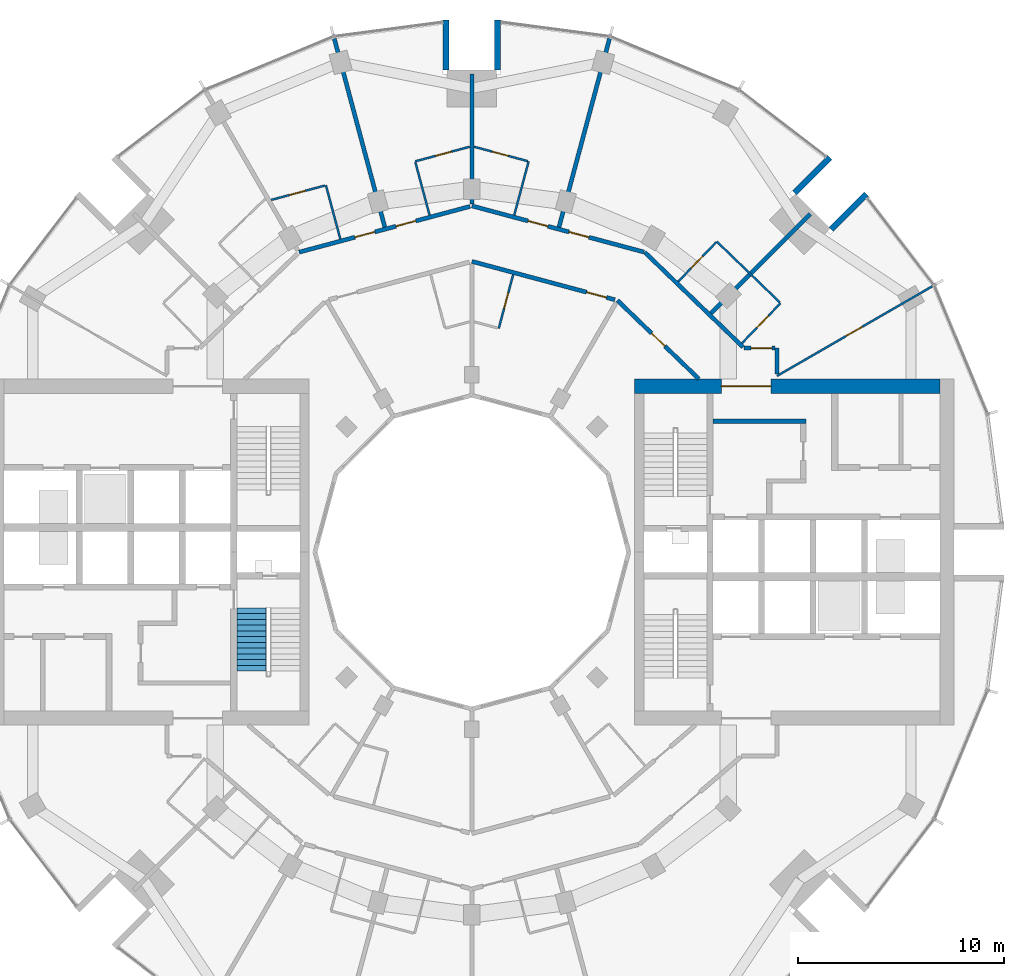
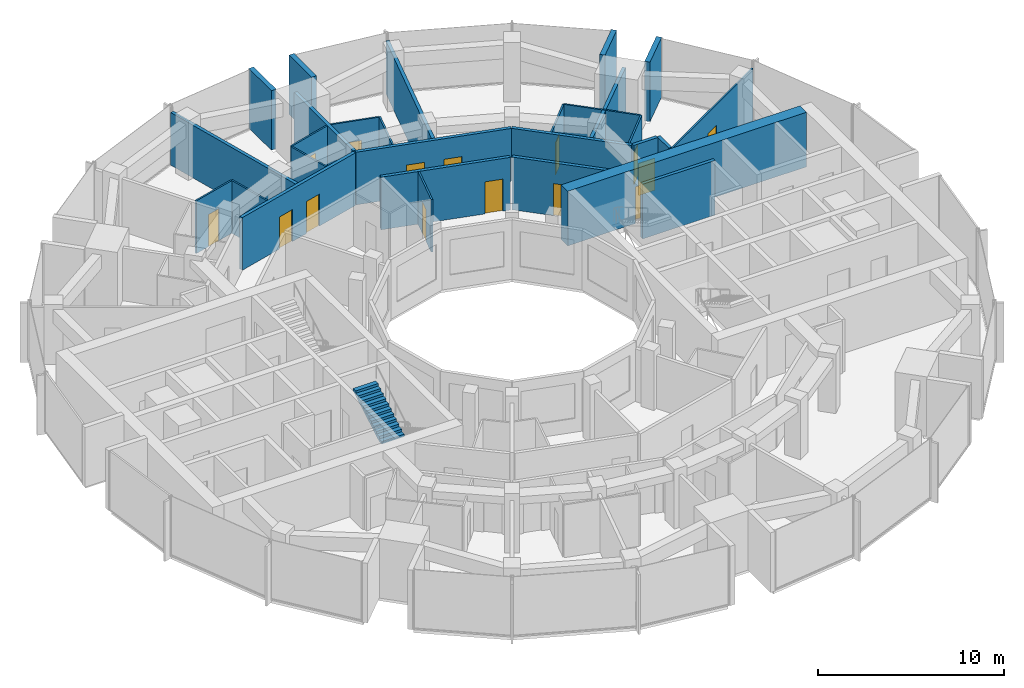
# One storey, part 12 of 15: 28 walls, 15 doors, 1 stair flight, 15 openings, 1 element without a shape of its own.
"""IFC4 building model written with IfcOpenShell, lengths in metres."""

from ifc_helpers import new_model, si_unit, direction, frame, frame_2d, origin, place, context, subcontext, project, spatial, polyline, rectangle, outline, extrude, material, layer, layer_set, type_object, element, fill, aggregate, save


model = new_model("IFC4")

# Units and contexts
model_context = context("Model", 3, precision=1e-05, world=origin(), true_north=direction((0.0, 1.0)))
body_context = subcontext(model_context, "Body", "Model", "MODEL_VIEW")
ifc_project = project(units=[si_unit("LENGTHUNIT", "METRE"), si_unit("AREAUNIT", "SQUARE_METRE"), si_unit("VOLUMEUNIT", "CUBIC_METRE"), si_unit("PLANEANGLEUNIT", "RADIAN"), si_unit("MASSUNIT", "GRAM", prefix="KILO")], contexts=[model_context])

# Site, building, storey
site_placement = place(None, origin())
site = spatial("IfcSite", under=ifc_project, at=site_placement, CompositionType="ELEMENT")
building_placement = place(site_placement, origin())
building = spatial("IfcBuilding", under=site, at=building_placement, Name="Torre Brocal", CompositionType="ELEMENT")
storey_placement = place(building_placement, frame((0.0, 0.0, 138.0)))
storey = spatial("IfcBuildingStorey", under=building, at=storey_placement, Name="L32", CompositionType="ELEMENT", Elevation=138.0)

# Wall
ifc_material_1 = material(Name="Concrete C70", Category="concrete")
ifc_layer_1 = layer(ifc_material_1, 0.199951171875)
ifc_layer_set_1 = layer_set([ifc_layer_1], Name="Concrete C70")
wall_type_1 = type_object("IfcWallType", Name="CORE WALL 200 C70", PredefinedType="SHEAR", material=ifc_layer_set_1)
wall_1_placement = place(storey_placement, frame((91.699951171875, 81.35009765625, 0.0), z_axis=(0.0, 0.0, 1.0), x_axis=(1.0, 0.0, 0.0)))
element("IfcWall", 1, at=wall_1_placement, inside=storey, type_object=wall_type_1, Name="Wall CW200-70", PredefinedType="SHEAR", context=body_context, shape_type="SweptSolid", body=[
    extrude(rectangle(XDim=4.5, YDim=0.199951171875, at=frame_2d((2.25, 0.0))), origin(), (0.0, 0.0, 1.0), 3.580078125),
])

# Wall, opening, door
ifc_material_2 = material(Name="Concrete C70", Category="concrete")
ifc_layer_2 = layer(ifc_material_2, 0.699951171875)
ifc_layer_set_2 = layer_set([ifc_layer_2], Name="Concrete C70")
wall_type_2 = type_object("IfcWallType", Name="CORE WALL 700 C70", PredefinedType="SHEAR", material=ifc_layer_set_2)
wall_2_placement = place(storey_placement, frame((87.89990234375, 83.050048828125, 0.0), z_axis=(0.0, 0.0, 1.0), x_axis=(1.0, 0.0, 0.0)))
wall_2 = element("IfcWall", 2, at=wall_2_placement, inside=storey, type_object=wall_type_2, Name="Wall CW700-70", PredefinedType="SHEAR", context=body_context, shape_type="SweptSolid", body=[
    extrude(rectangle(XDim=14.800048828125, YDim=0.699951171875, at=frame_2d((7.39990234375, 0.0))), origin(), (0.0, 0.0, 1.0), 3.580078125),
])
opening_1_placement = place(wall_2_placement, frame((4.199951171875, 0.0, 0.0)))
opening_1 = element("IfcOpeningElement", 3, at=opening_1_placement, cuts=wall_2, Name="Opening E-D24", PredefinedType="OPENING", context=body_context, shape_type="SweptSolid", body=[
    extrude(rectangle(XDim=2.39990234375, YDim=2.39990234375, at=frame_2d((1.199951171875, 1.199951171875))), frame((0.0, 0.35986328125, 0.0), z_axis=(0.0, -1.0, 0.0), x_axis=(1.0, 0.0, 0.0)), (0.0, 0.0, 1.0), 0.719970703125),
])
ifc_material_3 = material(Name="Steel A653", Category="steel")
door_type_1 = type_object("IfcDoorType", Name="DOUBLE FIRE DOOR FD90 2400X2400", OperationType="DOUBLE_DOOR_SINGLE_SWING", PredefinedType="DOOR", material=ifc_material_3)
door_1_placement = place(opening_1_placement, frame((2.39990234375, 0.0, 0.0), z_axis=(0.0, 0.0, 1.0), x_axis=(-1.0, 0.0, 0.0)))
door_1 = element("IfcDoor", 4, at=door_1_placement, inside=storey, type_object=door_type_1, Name="Door E-D24", OperationType="DOUBLE_DOOR_SINGLE_SWING", OverallHeight=2.39990234375, OverallWidth=2.39990234375, PredefinedType="DOOR", context=body_context, shape_type="SweptSolid", body=[
    extrude(rectangle(XDim=2.39990234375, YDim=2.39990234375, at=frame_2d((1.199951171875, 1.199951171875))), frame((0.0, 0.02490234375, 0.0), z_axis=(0.0, -1.0, 0.0), x_axis=(1.0, 0.0, 0.0)), (0.0, 0.0, 1.0), 0.050048828125),
])
fill(opening_1, door_1)

# Walls
ifc_material_4 = material(Name="Concrete C70", Category="concrete")
ifc_layer_3 = layer(ifc_material_4, 0.300048828125)
ifc_layer_set_3 = layer_set([ifc_layer_3], Name="Concrete C70")
wall_type_3 = type_object("IfcWallType", Name="NOTCH RETURN WALL 300 C70", PredefinedType="NOTDEFINED", material=ifc_layer_set_3)
for number, where, z_axis, x_axis, name in (
    (5, (97.43017578125, 90.662353515625, 0.0), (0.0, 0.0, 1.0), (0.707106781187, 0.707106781187, 0.0), "NOTCH RETURN WALL"),
    (6, (95.662353515625, 92.43017578125, 0.0), (0.0, 0.0, 1.0), (0.707106781187, 0.707106781187, 0.0), "NOTCH RETURN WALL"),
    (7, (81.25, 98.39990234375, 0.0), (0.0, 0.0, 1.0), (0.0, 1.0, 0.0), "NOTCH RETURN WALL"),
    (8, (78.75, 98.39990234375, 0.0), (0.0, 0.0, 1.0), (0.0, 1.0, 0.0), "NOTCH RETURN WALL"),
):
    element("IfcWall", number, at=place(storey_placement, frame(where, z_axis=z_axis, x_axis=x_axis)), inside=storey, type_object=wall_type_3, Name=name, PredefinedType="NOTDEFINED", context=body_context, shape_type="SweptSolid", body=[
        extrude(rectangle(XDim=2.415771484375, YDim=0.300048828125, at=frame_2d((1.2080078125, 0.0))), origin(), (0.0, 0.0, 1.0), 3.89990234375),
    ])

# Wall, opening, door
ifc_material_5 = material(Name="Gypsum board", Category="Gypsum")
ifc_layer_4 = layer(ifc_material_5, 0.10009765625)
ifc_layer_set_4 = layer_set([ifc_layer_4], Name="Gypsum board")
wall_type_4 = type_object("IfcWallType", Name="PARTITION 100", PredefinedType="PARTITIONING", material=ifc_layer_set_4)
wall_3_placement = place(storey_placement, frame((70.267822265625, 92.087158203125, 0.0), z_axis=(0.0, 0.0, 1.0), x_axis=(0.965937937835, 0.258773839966, 0.0)))
wall_3 = element("IfcWall", 9, at=wall_3_placement, inside=storey, type_object=wall_type_4, Name="BATHROOM WALL", PredefinedType="PARTITIONING", context=body_context, shape_type="SweptSolid", body=[
    extrude(rectangle(XDim=2.693603515625, YDim=0.10009765625, at=frame_2d((1.3466796875, 0.0))), origin(), (0.0, 0.0, 1.0), 3.449951171875),
])
opening_2_placement = place(wall_3_placement, frame((0.911865234375, 0.0, 0.0)))
opening_2 = element("IfcOpeningElement", 10, at=opening_2_placement, cuts=wall_3, Name="Opening E03-D11", PredefinedType="OPENING", context=body_context, shape_type="SweptSolid", body=[
    extrude(rectangle(XDim=0.800048828125, YDim=2.10009765625, at=frame_2d((0.39990234375, 1.050048828125))), frame((0.0, 0.06005859375, 0.0), z_axis=(0.0, -1.0, 0.0), x_axis=(1.0, 0.0, 0.0)), (0.0, 0.0, 1.0), 0.1201171875),
])
ifc_material_6 = material(Name="Timber", Category="wood")
door_type_2 = type_object("IfcDoorType", Name="BATHROOM DOOR 800X2100", OperationType="SINGLE_SWING_LEFT", PredefinedType="DOOR", material=ifc_material_6)
door_2_placement = place(opening_2_placement, frame((0.800048828125, 0.0, 0.0), z_axis=(0.0, 0.0, 1.0), x_axis=(-1.0, 0.0, 0.0)))
door_2 = element("IfcDoor", 11, at=door_2_placement, inside=storey, type_object=door_type_2, Name="E03-D11", OperationType="SINGLE_SWING_RIGHT", OverallHeight=2.10009765625, OverallWidth=0.800048828125, PredefinedType="DOOR", context=body_context, shape_type="SweptSolid", body=[
    extrude(rectangle(XDim=0.800048828125, YDim=2.10009765625, at=frame_2d((0.39990234375, 1.050048828125))), frame((0.0, 0.02490234375, 0.0), z_axis=(0.0, -1.0, 0.0), x_axis=(1.0, 0.0, 0.0)), (0.0, 0.0, 1.0), 0.050048828125),
])
fill(opening_2, door_2)

# Walls
wall_4_placement = place(storey_placement, frame((72.91796875, 92.797119140625, 0.0), z_axis=(0.0, 0.0, 1.0), x_axis=(0.25867580527, -0.965964195904, 0.0)))
element("IfcWall", 12, at=wall_4_placement, inside=storey, type_object=wall_type_4, Name="BATHROOM WALL", PredefinedType="PARTITIONING", context=body_context, shape_type="SweptSolid", body=[
    extrude(rectangle(XDim=2.69921875, YDim=0.10009765625, at=frame_2d((1.349609375, 0.0))), origin(), (0.0, 0.0, 1.0), 3.449951171875),
])
wall_5_placement = place(storey_placement, frame((77.260009765625, 93.90869140625, 0.0), z_axis=(0.0, 0.0, 1.0), x_axis=(0.258935674139, -0.965894568086, 0.0)))
element("IfcWall", 13, at=wall_5_placement, inside=storey, type_object=wall_type_4, Name="BATHROOM WALL", PredefinedType="PARTITIONING", context=body_context, shape_type="SweptSolid", body=[
    extrude(rectangle(XDim=2.6494140625, YDim=0.10009765625, at=frame_2d((1.32470703125, 0.0))), origin(), (0.0, 0.0, 1.0), 3.449951171875),
])

# Wall, opening, door
wall_6_placement = place(storey_placement, frame((77.2470703125, 93.956787109375, 0.0), z_axis=(0.0, 0.0, 1.0), x_axis=(0.965922199757, 0.258832579125, 0.0)))
wall_6 = element("IfcWall", 14, at=wall_6_placement, inside=storey, type_object=wall_type_4, Name="BATHROOM WALL", PredefinedType="PARTITIONING", context=body_context, shape_type="SweptSolid", body=[
    extrude(rectangle(XDim=2.739990234375, YDim=0.10009765625, at=frame_2d((1.3701171875, 0.0))), origin(), (0.0, 0.0, 1.0), 3.449951171875),
])
opening_3_placement = place(wall_6_placement, frame((1.025146484375, 0.0, 0.0)))
opening_3 = element("IfcOpeningElement", 15, at=opening_3_placement, cuts=wall_6, Name="Opening E03-D09", PredefinedType="OPENING", context=body_context, shape_type="SweptSolid", body=[
    extrude(rectangle(XDim=0.800048828125, YDim=2.10009765625, at=frame_2d((0.39990234375, 1.050048828125))), frame((0.0, 0.06005859375, 0.0), z_axis=(0.0, -1.0, 0.0), x_axis=(1.0, 0.0, 0.0)), (0.0, 0.0, 1.0), 0.1201171875),
])
door_3_placement = place(opening_3_placement, frame((0.800048828125, 0.0, 0.0), z_axis=(0.0, 0.0, 1.0), x_axis=(-1.0, 0.0, 0.0)))
door_3 = element("IfcDoor", 16, at=door_3_placement, inside=storey, type_object=door_type_2, Name="E03-D09", OperationType="SINGLE_SWING_LEFT", OverallHeight=2.10009765625, OverallWidth=0.800048828125, PredefinedType="DOOR", context=body_context, shape_type="SweptSolid", body=[
    extrude(rectangle(XDim=0.800048828125, YDim=2.10009765625, at=frame_2d((0.39990234375, 1.050048828125))), frame((0.0, 0.02490234375, 0.0), z_axis=(0.0, -1.0, 0.0), x_axis=(1.0, 0.0, 0.0)), (0.0, 0.0, 1.0), 0.050048828125),
])
fill(opening_3, door_3)

wall_7_placement = place(storey_placement, frame((80.106201171875, 94.66650390625, 0.0), z_axis=(0.0, 0.0, 1.0), x_axis=(0.96589821458, -0.258922071427, 0.0)))
wall_7 = element("IfcWall", 17, at=wall_7_placement, inside=storey, type_object=wall_type_4, Name="BATHROOM WALL", PredefinedType="PARTITIONING", context=body_context, shape_type="SweptSolid", body=[
    extrude(rectangle(XDim=2.690185546875, YDim=0.10009765625, at=frame_2d((1.34521484375, 0.0))), origin(), (0.0, 0.0, 1.0), 3.449951171875),
])
opening_4_placement = place(wall_7_placement, frame((0.9150390625, 0.0, 0.0)))
opening_4 = element("IfcOpeningElement", 18, at=opening_4_placement, cuts=wall_7, Name="Opening E03-D07", PredefinedType="OPENING", context=body_context, shape_type="SweptSolid", body=[
    extrude(rectangle(XDim=0.800048828125, YDim=2.10009765625, at=frame_2d((0.39990234375, 1.050048828125))), frame((0.0, 0.06005859375, 0.0), z_axis=(0.0, -1.0, 0.0), x_axis=(1.0, 0.0, 0.0)), (0.0, 0.0, 1.0), 0.1201171875),
])
door_4_placement = place(opening_4_placement, frame((0.800048828125, 0.0, 0.0), z_axis=(0.0, 0.0, 1.0), x_axis=(-1.0, 0.0, 0.0)))
door_4 = element("IfcDoor", 19, at=door_4_placement, inside=storey, type_object=door_type_2, Name="E03-D07", OperationType="SINGLE_SWING_RIGHT", OverallHeight=2.10009765625, OverallWidth=0.800048828125, PredefinedType="DOOR", context=body_context, shape_type="SweptSolid", body=[
    extrude(rectangle(XDim=0.800048828125, YDim=2.10009765625, at=frame_2d((0.39990234375, 1.050048828125))), frame((0.0, 0.02490234375, 0.0), z_axis=(0.0, -1.0, 0.0), x_axis=(1.0, 0.0, 0.0)), (0.0, 0.0, 1.0), 0.050048828125),
])
fill(opening_4, door_4)

wall_8_placement = place(storey_placement, frame((81.303955078125, 85.85595703125, 0.0), z_axis=(0.0, 0.0, 1.0), x_axis=(0.25867580527, 0.965964195904, 0.0)))
wall_8 = element("IfcWall", 20, at=wall_8_placement, inside=storey, type_object=wall_type_4, Name="BATHROOM WALL", PredefinedType="PARTITIONING", context=body_context, shape_type="SweptSolid", body=[
    extrude(rectangle(XDim=2.69921875, YDim=0.10009765625, at=frame_2d((1.349609375, 0.0))), origin(), (0.0, 0.0, 1.0), 3.449951171875),
])
opening_5_placement = place(wall_8_placement, frame((0.99951171875, 0.0, 0.0)))
opening_5 = element("IfcOpeningElement", 21, at=opening_5_placement, cuts=wall_8, Name="Opening E03-D19", PredefinedType="OPENING", context=body_context, shape_type="SweptSolid", body=[
    extrude(rectangle(XDim=0.800048828125, YDim=2.10009765625, at=frame_2d((0.39990234375, 1.050048828125))), frame((0.0, 0.06005859375, 0.0), z_axis=(0.0, -1.0, 0.0), x_axis=(1.0, 0.0, 0.0)), (0.0, 0.0, 1.0), 0.1201171875),
])
door_5_placement = place(opening_5_placement, origin())
door_5 = element("IfcDoor", 22, at=door_5_placement, inside=storey, type_object=door_type_2, Name="E03-D19", OperationType="SINGLE_SWING_RIGHT", OverallHeight=2.10009765625, OverallWidth=0.800048828125, PredefinedType="DOOR", context=body_context, shape_type="SweptSolid", body=[
    extrude(rectangle(XDim=0.800048828125, YDim=2.10009765625, at=frame_2d((0.39990234375, 1.050048828125))), frame((0.0, 0.02490234375, 0.0), z_axis=(0.0, -1.0, 0.0), x_axis=(1.0, 0.0, 0.0)), (0.0, 0.0, 1.0), 0.050048828125),
])
fill(opening_5, door_5)

# Wall
wall_9_placement = place(storey_placement, frame((82.053955078125, 91.349609375, 0.0), z_axis=(0.0, 0.0, 1.0), x_axis=(0.258928960762, 0.965896367774, 0.0)))
element("IfcWall", 23, at=wall_9_placement, inside=storey, type_object=wall_type_4, Name="BATHROOM WALL", PredefinedType="PARTITIONING", context=body_context, shape_type="SweptSolid", body=[
    extrude(rectangle(XDim=2.699462890625, YDim=0.10009765625, at=frame_2d((1.349609375, 0.0))), origin(), (0.0, 0.0, 1.0), 3.449951171875),
])

# Wall, opening, door
wall_10_placement = place(storey_placement, frame((90.00830078125, 88.123046875, 0.0), z_axis=(0.0, 0.0, 1.0), x_axis=(0.694372521817, 0.719615731447, 0.0)))
wall_10 = element("IfcWall", 24, at=wall_10_placement, inside=storey, type_object=wall_type_4, Name="BATHROOM WALL", PredefinedType="PARTITIONING", context=body_context, shape_type="SweptSolid", body=[
    extrude(rectangle(XDim=2.64990234375, YDim=0.10009765625, at=frame_2d((1.324951171875, 0.0))), origin(), (0.0, 0.0, 1.0), 3.449951171875),
])
opening_6_placement = place(wall_10_placement, frame((0.89990234375, 0.0, 0.0)))
opening_6 = element("IfcOpeningElement", 25, at=opening_6_placement, cuts=wall_10, Name="Opening E03-D05", PredefinedType="OPENING", context=body_context, shape_type="SweptSolid", body=[
    extrude(rectangle(XDim=0.800048828125, YDim=2.10009765625, at=frame_2d((0.39990234375, 1.050048828125))), frame((0.0, 0.06005859375, 0.0), z_axis=(0.0, -1.0, 0.0), x_axis=(1.0, 0.0, 0.0)), (0.0, 0.0, 1.0), 0.1201171875),
])
door_6_placement = place(opening_6_placement, frame((0.800048828125, 0.0, 0.0), z_axis=(0.0, 0.0, 1.0), x_axis=(-1.0, 0.0, 0.0)))
door_6 = element("IfcDoor", 26, at=door_6_placement, inside=storey, type_object=door_type_2, Name="E03-D05", OperationType="SINGLE_SWING_RIGHT", OverallHeight=2.10009765625, OverallWidth=0.800048828125, PredefinedType="DOOR", context=body_context, shape_type="SweptSolid", body=[
    extrude(rectangle(XDim=0.800048828125, YDim=2.10009765625, at=frame_2d((0.39990234375, 1.050048828125))), frame((0.0, 0.02490234375, 0.0), z_axis=(0.0, -1.0, 0.0), x_axis=(1.0, 0.0, 0.0)), (0.0, 0.0, 1.0), 0.050048828125),
])
fill(opening_6, door_6)

# Wall
wall_11_placement = place(storey_placement, frame((91.8828125, 90.065673828125, 0.0), z_axis=(0.0, 0.0, 1.0), x_axis=(0.719460839421, -0.694533008963, 0.0)))
element("IfcWall", 27, at=wall_11_placement, inside=storey, type_object=wall_type_4, Name="BATHROOM WALL", PredefinedType="PARTITIONING", context=body_context, shape_type="SweptSolid", body=[
    extrude(rectangle(XDim=4.25048828125, YDim=0.10009765625, at=frame_2d((2.125244140625, 0.0))), origin(), (0.0, 0.0, 1.0), 3.449951171875),
])

# Wall, opening, door
wall_12_placement = place(storey_placement, frame((93.1025390625, 85.135986328125, 0.0), z_axis=(0.0, 0.0, 1.0), x_axis=(0.694287838235, 0.719697434815, 0.0)))
wall_12 = element("IfcWall", 28, at=wall_12_placement, inside=storey, type_object=wall_type_4, Name="BATHROOM WALL", PredefinedType="PARTITIONING", context=body_context, shape_type="SweptSolid", body=[
    extrude(rectangle(XDim=2.699951171875, YDim=0.10009765625, at=frame_2d((1.35009765625, 0.0))), origin(), (0.0, 0.0, 1.0), 3.449951171875),
])
opening_7_placement = place(wall_12_placement, frame((1.0498046875, 0.0, 0.0)))
opening_7 = element("IfcOpeningElement", 29, at=opening_7_placement, cuts=wall_12, Name="Opening E03-D02", PredefinedType="OPENING", context=body_context, shape_type="SweptSolid", body=[
    extrude(rectangle(XDim=0.800048828125, YDim=2.10009765625, at=frame_2d((0.39990234375, 1.050048828125))), frame((0.0, 0.06005859375, 0.0), z_axis=(0.0, -1.0, 0.0), x_axis=(1.0, 0.0, 0.0)), (0.0, 0.0, 1.0), 0.1201171875),
])
door_7_placement = place(opening_7_placement, origin())
door_7 = element("IfcDoor", 30, at=door_7_placement, inside=storey, type_object=door_type_2, Name="E03-D02", OperationType="SINGLE_SWING_RIGHT", OverallHeight=2.10009765625, OverallWidth=0.800048828125, PredefinedType="DOOR", context=body_context, shape_type="SweptSolid", body=[
    extrude(rectangle(XDim=0.800048828125, YDim=2.10009765625, at=frame_2d((0.39990234375, 1.050048828125))), frame((0.0, 0.02490234375, 0.0), z_axis=(0.0, -1.0, 0.0), x_axis=(1.0, 0.0, 0.0)), (0.0, 0.0, 1.0), 0.050048828125),
])
fill(opening_7, door_7)

wall_13_placement = place(storey_placement, frame((94.800048828125, 83.544921875, 0.0), z_axis=(0.0, 0.0, 1.0), x_axis=(0.86602264145, 0.500004784474, 0.0)))
wall_13 = element("IfcWall", 31, at=wall_13_placement, inside=storey, type_object=wall_type_4, Name="ROOM PARTITION", PredefinedType="PARTITIONING", context=body_context, shape_type="SweptSolid", body=[
    extrude(rectangle(XDim=8.7080078125, YDim=0.10009765625, at=frame_2d((4.35400390625, 0.0))), origin(), (0.0, 0.0, 1.0), 3.449951171875),
])
opening_8_placement = place(wall_13_placement, frame((3.87890625, 0.0, 0.0)))
opening_8 = element("IfcOpeningElement", 32, at=opening_8_placement, cuts=wall_13, Name="Opening E03-D03", PredefinedType="OPENING", context=body_context, shape_type="SweptSolid", body=[
    extrude(rectangle(XDim=0.89990234375, YDim=2.10009765625, at=frame_2d((0.449951171875, 1.050048828125))), frame((0.0, 0.06005859375, 0.0), z_axis=(0.0, -1.0, 0.0), x_axis=(1.0, 0.0, 0.0)), (0.0, 0.0, 1.0), 0.1201171875),
])
ifc_material_7 = material(Name="Timber", Category="wood")
door_type_3 = type_object("IfcDoorType", Name="ROOM DOOR 900X2100", OperationType="SINGLE_SWING_LEFT", PredefinedType="DOOR", material=ifc_material_7)
door_8_placement = place(opening_8_placement, frame((0.89990234375, 0.0, 0.0), z_axis=(0.0, 0.0, 1.0), x_axis=(-1.0, 0.0, 0.0)))
door_8 = element("IfcDoor", 33, at=door_8_placement, inside=storey, type_object=door_type_3, Name="E03-D03", OperationType="SINGLE_SWING_RIGHT", OverallHeight=2.10009765625, OverallWidth=0.89990234375, PredefinedType="DOOR", context=body_context, shape_type="SweptSolid", body=[
    extrude(rectangle(XDim=0.89990234375, YDim=2.10009765625, at=frame_2d((0.449951171875, 1.050048828125))), frame((0.0, 0.02490234375, 0.0), z_axis=(0.0, -1.0, 0.0), x_axis=(1.0, 0.0, 0.0)), (0.0, 0.0, 1.0), 0.050048828125),
])
fill(opening_8, door_8)

# Wall, openings, doors
ifc_material_8 = material(Name="Gypsum board", Category="Gypsum")
ifc_layer_5 = layer(ifc_material_8, 0.199951171875)
ifc_layer_set_5 = layer_set([ifc_layer_5], Name="Gypsum board")
wall_type_5 = type_object("IfcWallType", Name="PARTITION 200 EI60", PredefinedType="PARTITIONING", material=ifc_layer_set_5)
wall_14_placement = place(storey_placement, frame((71.61376953125, 89.5498046875, 0.0), z_axis=(0.0, 0.0, 1.0), x_axis=(0.965982156828, 0.258608725086, 0.0)))
wall_14 = element("IfcWall", 34, at=wall_14_placement, inside=storey, type_object=wall_type_5, Name="GUESTROOM CORRIDOR WALL", PredefinedType="PARTITIONING", context=body_context, shape_type="SweptSolid", body=[
    extrude(rectangle(XDim=8.591796875, YDim=0.199951171875, at=frame_2d((4.2958984375, 0.0))), origin(), (0.0, 0.0, 1.0), 3.449951171875),
])
opening_9_placement = place(wall_14_placement, frame((4.864990234375, 0.0, 0.0)))
opening_9 = element("IfcOpeningElement", 35, at=opening_9_placement, cuts=wall_14, Name="Opening E03-D08", PredefinedType="OPENING", context=body_context, shape_type="SweptSolid", body=[
    extrude(rectangle(XDim=1.0, YDim=2.10009765625, at=frame_2d((0.5, 1.050048828125))), frame((0.0, 0.10986328125, 0.0), z_axis=(0.0, -1.0, 0.0), x_axis=(1.0, 0.0, 0.0)), (0.0, 0.0, 1.0), 0.219970703125),
])
opening_10_placement = place(wall_14_placement, frame((2.804443359375, 0.0, 0.0)))
opening_10 = element("IfcOpeningElement", 36, at=opening_10_placement, cuts=wall_14, Name="Opening E03-D10", PredefinedType="OPENING", context=body_context, shape_type="SweptSolid", body=[
    extrude(rectangle(XDim=1.0, YDim=2.10009765625, at=frame_2d((0.5, 1.050048828125))), frame((0.0, 0.10986328125, 0.0), z_axis=(0.0, -1.0, 0.0), x_axis=(1.0, 0.0, 0.0)), (0.0, 0.0, 1.0), 0.219970703125),
])
ifc_material_9 = material(Name="Timber", Category="wood")
door_type_4 = type_object("IfcDoorType", Name="FLAT ENTRY DOOR FD30S 1000X2100", OperationType="SINGLE_SWING_RIGHT", PredefinedType="DOOR", material=ifc_material_9)
door_9_placement = place(opening_9_placement, origin())
door_9 = element("IfcDoor", 37, at=door_9_placement, inside=storey, type_object=door_type_4, Name="E03-D08", OperationType="SINGLE_SWING_LEFT", OverallHeight=2.10009765625, OverallWidth=1.0, PredefinedType="DOOR", context=body_context, shape_type="SweptSolid", body=[
    extrude(rectangle(XDim=1.0, YDim=2.10009765625, at=frame_2d((0.5, 1.050048828125))), frame((0.0, 0.02490234375, 0.0), z_axis=(0.0, -1.0, 0.0), x_axis=(1.0, 0.0, 0.0)), (0.0, 0.0, 1.0), 0.050048828125),
])
fill(opening_9, door_9)
door_10_placement = place(opening_10_placement, origin())
door_10 = element("IfcDoor", 38, at=door_10_placement, inside=storey, type_object=door_type_4, Name="E03-D10", OperationType="SINGLE_SWING_RIGHT", OverallHeight=2.10009765625, OverallWidth=1.0, PredefinedType="DOOR", context=body_context, shape_type="SweptSolid", body=[
    extrude(rectangle(XDim=1.0, YDim=2.10009765625, at=frame_2d((0.5, 1.050048828125))), frame((0.0, 0.02490234375, 0.0), z_axis=(0.0, -1.0, 0.0), x_axis=(1.0, 0.0, 0.0)), (0.0, 0.0, 1.0), 0.050048828125),
])
fill(opening_10, door_10)

# Wall
wall_15_placement = place(storey_placement, frame((73.322998046875, 99.919189453125, 0.0), z_axis=(0.0, 0.0, 1.0), x_axis=(0.258817230439, -0.965926312525, 0.0)))
element("IfcWall", 39, at=wall_15_placement, inside=storey, type_object=wall_type_5, Name="PARTY PARTITION", PredefinedType="PARTITIONING", context=body_context, shape_type="SweptSolid", body=[
    extrude(rectangle(XDim=9.474365234375, YDim=0.199951171875, at=frame_2d((4.7373046875, 0.0))), origin(), (0.0, 0.0, 1.0), 3.449951171875),
])

# Wall, opening, door
wall_16_placement = place(storey_placement, frame((80.0, 89.10400390625, 0.0), z_axis=(0.0, 0.0, 1.0), x_axis=(0.965854247166, -0.25908603442, 0.0)))
wall_16 = element("IfcWall", 40, at=wall_16_placement, inside=storey, type_object=wall_type_5, Name="GUESTROOM CORRIDOR WALL", PredefinedType="PARTITIONING", context=body_context, shape_type="SweptSolid", body=[
    extrude(rectangle(XDim=7.183349609375, YDim=0.199951171875, at=frame_2d((3.591796875, 0.0))), origin(), (0.0, 0.0, 1.0), 3.449951171875),
])
opening_11_placement = place(wall_16_placement, frame((5.76318359375, 0.0, 0.0)))
opening_11 = element("IfcOpeningElement", 41, at=opening_11_placement, cuts=wall_16, Name="Opening E03-D18", PredefinedType="OPENING", context=body_context, shape_type="SweptSolid", body=[
    extrude(rectangle(XDim=1.0, YDim=2.10009765625, at=frame_2d((0.5, 1.050048828125))), frame((0.0, 0.10986328125, 0.0), z_axis=(0.0, -1.0, 0.0), x_axis=(1.0, 0.0, 0.0)), (0.0, 0.0, 1.0), 0.219970703125),
])
door_11_placement = place(opening_11_placement, frame((1.0, 0.0, 0.0), z_axis=(0.0, 0.0, 1.0), x_axis=(-1.0, 0.0, 0.0)))
door_11 = element("IfcDoor", 42, at=door_11_placement, inside=storey, type_object=door_type_4, Name="E03-D18", OperationType="SINGLE_SWING_LEFT", OverallHeight=2.10009765625, OverallWidth=1.0, PredefinedType="DOOR", context=body_context, shape_type="SweptSolid", body=[
    extrude(rectangle(XDim=1.0, YDim=2.10009765625, at=frame_2d((0.5, 1.050048828125))), frame((0.0, 0.02490234375, 0.0), z_axis=(0.0, -1.0, 0.0), x_axis=(1.0, 0.0, 0.0)), (0.0, 0.0, 1.0), 0.050048828125),
])
fill(opening_11, door_11)

# Wall
wall_17_placement = place(storey_placement, frame((80.0, 91.885986328125, 0.0), z_axis=(0.0, 0.0, 1.0), x_axis=(0.0, 1.0, 0.0)))
element("IfcWall", 43, at=wall_17_placement, inside=storey, type_object=wall_type_5, Name="BATHROOM WALL", PredefinedType="PARTITIONING", context=body_context, shape_type="SweptSolid", body=[
    extrude(rectangle(XDim=6.31396484375, YDim=0.199951171875, at=frame_2d((3.156982421875, 0.0))), origin(), (0.0, 0.0, 1.0), 3.449951171875),
])

# Wall, openings, doors
wall_18_placement = place(storey_placement, frame((80.0, 91.79638671875, 0.0), z_axis=(0.0, 0.0, 1.0), x_axis=(0.965891796243, -0.258946013582, 0.0)))
wall_18 = element("IfcWall", 44, at=wall_18_placement, inside=storey, type_object=wall_type_5, Name="GUESTROOM CORRIDOR WALL", PredefinedType="PARTITIONING", context=body_context, shape_type="SweptSolid", body=[
    extrude(rectangle(XDim=8.641845703125, YDim=0.199951171875, at=frame_2d((4.32080078125, 0.0))), origin(), (0.0, 0.0, 1.0), 3.449951171875),
])
opening_12_placement = place(wall_18_placement, frame((4.87744140625, 0.0, 0.0)))
opening_12 = element("IfcOpeningElement", 45, at=opening_12_placement, cuts=wall_18, Name="Opening E03-D04", PredefinedType="OPENING", context=body_context, shape_type="SweptSolid", body=[
    extrude(rectangle(XDim=1.0, YDim=2.10009765625, at=frame_2d((0.5, 1.050048828125))), frame((0.0, 0.10986328125, 0.0), z_axis=(0.0, -1.0, 0.0), x_axis=(1.0, 0.0, 0.0)), (0.0, 0.0, 1.0), 0.219970703125),
])
opening_13_placement = place(wall_18_placement, frame((2.816650390625, 0.0, 0.0)))
opening_13 = element("IfcOpeningElement", 46, at=opening_13_placement, cuts=wall_18, Name="Opening E03-D06", PredefinedType="OPENING", context=body_context, shape_type="SweptSolid", body=[
    extrude(rectangle(XDim=1.0, YDim=2.10009765625, at=frame_2d((0.5, 1.050048828125))), frame((0.0, 0.10986328125, 0.0), z_axis=(0.0, -1.0, 0.0), x_axis=(1.0, 0.0, 0.0)), (0.0, 0.0, 1.0), 0.219970703125),
])
door_12_placement = place(opening_12_placement, origin())
door_12 = element("IfcDoor", 47, at=door_12_placement, inside=storey, type_object=door_type_4, Name="E03-D04", OperationType="SINGLE_SWING_LEFT", OverallHeight=2.10009765625, OverallWidth=1.0, PredefinedType="DOOR", context=body_context, shape_type="SweptSolid", body=[
    extrude(rectangle(XDim=1.0, YDim=2.10009765625, at=frame_2d((0.5, 1.050048828125))), frame((0.0, 0.02490234375, 0.0), z_axis=(0.0, -1.0, 0.0), x_axis=(1.0, 0.0, 0.0)), (0.0, 0.0, 1.0), 0.050048828125),
])
fill(opening_12, door_12)
door_13_placement = place(opening_13_placement, origin())
door_13 = element("IfcDoor", 48, at=door_13_placement, inside=storey, type_object=door_type_4, Name="E03-D06", OperationType="SINGLE_SWING_RIGHT", OverallHeight=2.10009765625, OverallWidth=1.0, PredefinedType="DOOR", context=body_context, shape_type="SweptSolid", body=[
    extrude(rectangle(XDim=1.0, YDim=2.10009765625, at=frame_2d((0.5, 1.050048828125))), frame((0.0, 0.02490234375, 0.0), z_axis=(0.0, -1.0, 0.0), x_axis=(1.0, 0.0, 0.0)), (0.0, 0.0, 1.0), 0.050048828125),
])
fill(opening_13, door_13)

# Wall
wall_19_placement = place(storey_placement, frame((84.225830078125, 90.768310546875, 0.0), z_axis=(0.0, 0.0, 1.0), x_axis=(0.258891088655, 0.965906519398, 0.0)))
element("IfcWall", 49, at=wall_19_placement, inside=storey, type_object=wall_type_5, Name="PARTY PARTITION", PredefinedType="PARTITIONING", context=body_context, shape_type="SweptSolid", body=[
    extrude(rectangle(XDim=9.4736328125, YDim=0.199951171875, at=frame_2d((4.73681640625, 0.0))), origin(), (0.0, 0.0, 1.0), 3.449951171875),
])

# Wall, opening, door
wall_20_placement = place(storey_placement, frame((87.06396484375, 87.2109375, 0.0), z_axis=(0.0, 0.0, 1.0), x_axis=(0.719562412484, -0.694427774891, 0.0)))
wall_20 = element("IfcWall", 50, at=wall_20_placement, inside=storey, type_object=wall_type_5, Name="CORRIDOR WALL", PredefinedType="PARTITIONING", context=body_context, shape_type="SweptSolid", body=[
    extrude(rectangle(XDim=5.488037109375, YDim=0.199951171875, at=frame_2d((2.744140625, 0.0))), origin(), (0.0, 0.0, 1.0), 3.449951171875),
])
opening_14_placement = place(wall_20_placement, frame((2.2939453125, 0.0, 0.0)))
opening_14 = element("IfcOpeningElement", 51, at=opening_14_placement, cuts=wall_20, Name="Opening E03-D17", PredefinedType="OPENING", context=body_context, shape_type="SweptSolid", body=[
    extrude(rectangle(XDim=0.89990234375, YDim=2.10009765625, at=frame_2d((0.449951171875, 1.050048828125))), frame((0.0, 0.10986328125, 0.0), z_axis=(0.0, -1.0, 0.0), x_axis=(1.0, 0.0, 0.0)), (0.0, 0.0, 1.0), 0.219970703125),
])
door_14_placement = place(opening_14_placement, frame((0.89990234375, 0.0, 0.0), z_axis=(0.0, 0.0, 1.0), x_axis=(-1.0, 0.0, 0.0)))
door_14 = element("IfcDoor", 52, at=door_14_placement, inside=storey, type_object=door_type_3, Name="E03-D17", OperationType="SINGLE_SWING_LEFT", OverallHeight=2.10009765625, OverallWidth=0.89990234375, PredefinedType="DOOR", context=body_context, shape_type="SweptSolid", body=[
    extrude(rectangle(XDim=0.89990234375, YDim=2.10009765625, at=frame_2d((0.449951171875, 1.050048828125))), frame((0.0, 0.02490234375, 0.0), z_axis=(0.0, -1.0, 0.0), x_axis=(1.0, 0.0, 0.0)), (0.0, 0.0, 1.0), 0.050048828125),
])
fill(opening_14, door_14)

# Walls
wall_21_placement = place(storey_placement, frame((88.385986328125, 89.549072265625, 0.0), z_axis=(0.0, 0.0, 1.0), x_axis=(0.719507339337, -0.694484836869, 0.0)))
element("IfcWall", 53, at=wall_21_placement, inside=storey, type_object=wall_type_5, Name="GUESTROOM CORRIDOR WALL", PredefinedType="PARTITIONING", context=body_context, shape_type="SweptSolid", body=[
    extrude(rectangle(XDim=6.634765625, YDim=0.199951171875, at=frame_2d((3.3173828125, 0.0))), origin(), (0.0, 0.0, 1.0), 3.449951171875),
])
wall_22_placement = place(storey_placement, frame((91.594970703125, 86.5908203125, 0.0), z_axis=(0.0, 0.0, 1.0), x_axis=(0.707214399597, 0.706999146394, 0.0)))
element("IfcWall", 54, at=wall_22_placement, inside=storey, type_object=wall_type_5, Name="BATHROOM WALL", PredefinedType="PARTITIONING", context=body_context, shape_type="SweptSolid", body=[
    extrude(rectangle(XDim=6.80517578125, YDim=0.199951171875, at=frame_2d((3.402587890625, 0.0))), origin(), (0.0, 0.0, 1.0), 3.449951171875),
])

# Wall, opening, door
wall_23_placement = place(storey_placement, frame((93.202880859375, 84.89990234375, 0.0), z_axis=(0.0, 0.0, 1.0), x_axis=(1.0, 0.0, 0.0)))
wall_23 = element("IfcWall", 55, at=wall_23_placement, inside=storey, type_object=wall_type_5, Name="GUESTROOM CORRIDOR WALL", PredefinedType="PARTITIONING", context=body_context, shape_type="SweptSolid", body=[
    extrude(rectangle(XDim=1.4970703125, YDim=0.199951171875, at=frame_2d((0.74853515625, 0.0))), origin(), (0.0, 0.0, 1.0), 3.449951171875),
])
opening_15_placement = place(wall_23_placement, frame((0.346923828125, 0.0, 0.0)))
opening_15 = element("IfcOpeningElement", 56, at=opening_15_placement, cuts=wall_23, Name="Opening E03-D01", PredefinedType="OPENING", context=body_context, shape_type="SweptSolid", body=[
    extrude(rectangle(XDim=1.0, YDim=2.10009765625, at=frame_2d((0.5, 1.050048828125))), frame((0.0, 0.10986328125, 0.0), z_axis=(0.0, -1.0, 0.0), x_axis=(1.0, 0.0, 0.0)), (0.0, 0.0, 1.0), 0.219970703125),
])
door_15_placement = place(opening_15_placement, origin())
door_15 = element("IfcDoor", 57, at=door_15_placement, inside=storey, type_object=door_type_4, Name="E03-D01", OperationType="SINGLE_SWING_RIGHT", OverallHeight=2.10009765625, OverallWidth=1.0, PredefinedType="DOOR", context=body_context, shape_type="SweptSolid", body=[
    extrude(rectangle(XDim=1.0, YDim=2.10009765625, at=frame_2d((0.5, 1.050048828125))), frame((0.0, 0.02490234375, 0.0), z_axis=(0.0, -1.0, 0.0), x_axis=(1.0, 0.0, 0.0)), (0.0, 0.0, 1.0), 0.050048828125),
])
fill(opening_15, door_15)

# Wall
wall_24_placement = place(storey_placement, frame((94.800048828125, 83.64990234375, 0.0), z_axis=(0.0, 0.0, 1.0), x_axis=(0.0, 1.0, 0.0)))
element("IfcWall", 58, at=wall_24_placement, inside=storey, type_object=wall_type_5, Name="GUESTROOM CORRIDOR WALL", PredefinedType="PARTITIONING", context=body_context, shape_type="SweptSolid", body=[
    extrude(rectangle(XDim=1.25, YDim=0.199951171875, at=frame_2d((0.625, 0.0))), origin(), (0.0, 0.0, 1.0), 3.449951171875),
])

# Stair, stair flight
ifc_material_10 = material(Name="Concrete C50", Category="concrete")
stair_type = type_object("IfcStairType", Name="EXIT STAIR", PredefinedType="HALF_TURN_STAIR", material=ifc_material_10)
stair_placement = place(storey_placement, origin())
stair = element("IfcStair", 59, at=stair_placement, inside=storey, type_object=stair_type, Name="EXIT STAIR ST3", PredefinedType="HALF_TURN_STAIR")
ifc_material_11 = material(Name="Concrete C50", Category="concrete")
ifc_layer_6 = layer(ifc_material_11, 0.14990234375)
ifc_layer_set_6 = layer_set([ifc_layer_6], Name="Concrete C50")
stair_flight_type = type_object("IfcStairFlightType", Name="STAIR FLIGHT", PredefinedType="STRAIGHT", material=ifc_layer_set_6)
stair_flight_placement = place(storey_placement, frame((69.300048828125, 69.219970703125, 1.949951171875), z_axis=(0.0, 0.0, 1.0), x_axis=(0.0, 1.0, 0.0)))
stair_flight = element("IfcStairFlight", 60, at=stair_flight_placement, type_object=stair_flight_type, Name="ST3 flight 2", NumberOfRisers=12, NumberOfTreads=11, PredefinedType="STRAIGHT", RiserHeight=0.1625, TreadLength=0.28, context=body_context, shape_type="SweptSolid", body=[
    extrude(outline(polyline([(0.0, 0.0), (0.0, 0.16259765625), (0.280029296875, 0.16259765625), (0.280029296875, 0.324951171875), (0.56005859375, 0.324951171875), (0.56005859375, 0.487548828125), (0.840087890625, 0.487548828125), (0.840087890625, 0.64990234375), (1.1201171875, 0.64990234375), (1.1201171875, 0.8125), (1.39990234375, 0.8125), (1.39990234375, 0.97509765625), (1.679931640625, 0.97509765625), (1.679931640625, 1.137451171875), (1.9599609375, 1.137451171875), (1.9599609375, 1.300048828125), (2.239990234375, 1.300048828125), (2.239990234375, 1.46240234375), (2.52001953125, 1.46240234375), (2.52001953125, 1.625), (2.800048828125, 1.625), (2.800048828125, 1.78759765625), (3.080078125, 1.78759765625), (3.080078125, 1.949951171875), (3.080078125, 1.6142578125), (0.298583984375, 0.0), (0.0, 0.0)])), frame((0.0, 0.699951171875, 0.0), z_axis=(0.0, -1.0, 0.0), x_axis=(1.0, 0.0, 0.0)), (0.0, 0.0, 1.0), 1.39990234375),
])
aggregate(stair, [stair_flight])

save(model, "model.ifc")
